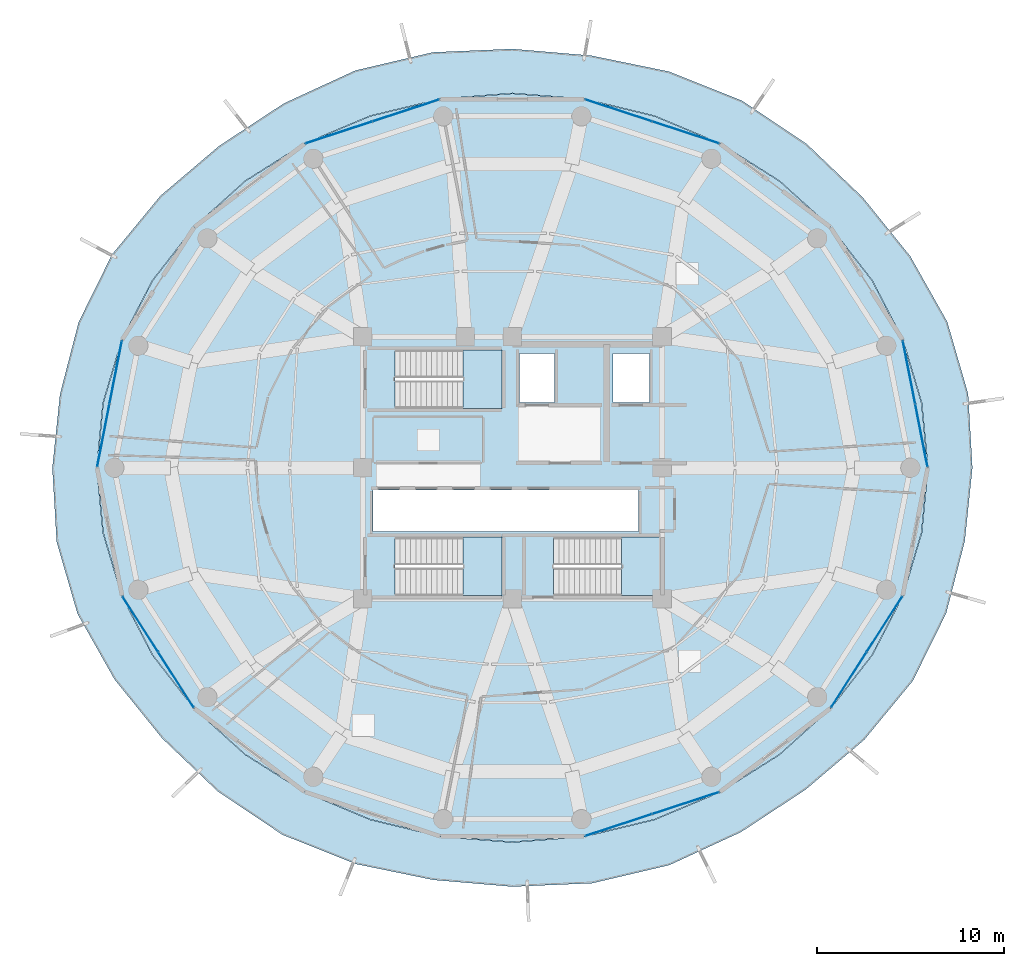
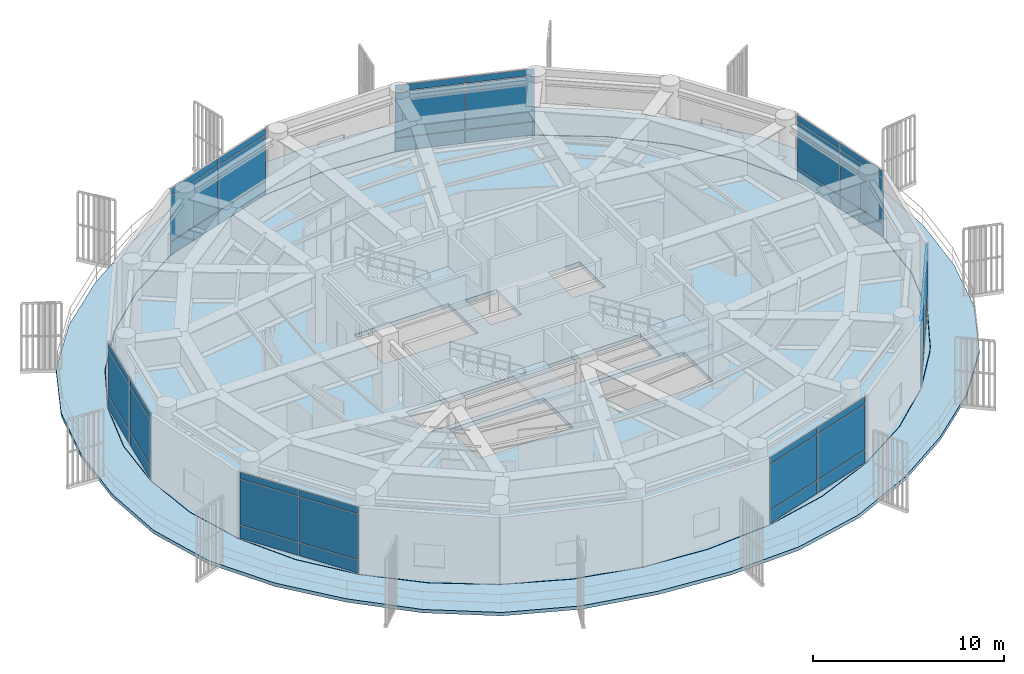
# One storey, part 21 of 29: 42 plates, 5 slabs, 10 elements without a shape of their own.
"""IFC4 building model written with IfcOpenShell, lengths in metres."""

from ifc_helpers import new_model, si_unit, direction, frame, origin, origin_2d, place, context, subcontext, project, spatial, polyline, rectangle, outline, extrude, source, transform, mapped, material, layer, layer_set, type_object, element, aggregate, save


model = new_model("IFC4")

# Units and contexts
model_context = context("Model", 3, precision=1e-05, world=origin(), true_north=direction((0.0, 1.0)))
body_context = subcontext(model_context, "Body", "Model", "MODEL_VIEW")
ifc_project = project(units=[si_unit("LENGTHUNIT", "METRE"), si_unit("AREAUNIT", "SQUARE_METRE"), si_unit("VOLUMEUNIT", "CUBIC_METRE"), si_unit("PLANEANGLEUNIT", "RADIAN"), si_unit("MASSUNIT", "GRAM", prefix="KILO")], contexts=[model_context])

# Site, building, storey
site_placement = place(None, origin())
site = spatial("IfcSite", under=ifc_project, at=site_placement, CompositionType="ELEMENT")
building_placement = place(site_placement, origin())
building = spatial("IfcBuilding", under=site, at=building_placement, Name="Kelanora Arch Commons", CompositionType="ELEMENT")
storey_placement = place(building_placement, frame((0.0, 0.0, 238.199951171875)))
storey = spatial("IfcBuildingStorey", under=building, at=storey_placement, Name="L61", CompositionType="ELEMENT", Elevation=238.199951171875)

# Stair, slab
ifc_material_1 = material(Name="Concrete C40/50", Category="concrete")
stair_type = type_object("IfcStairType", Name="STR-DL-476", PredefinedType="HALF_TURN_STAIR", material=ifc_material_1)
stair_1_placement = place(storey_placement, origin())
stair_1 = element("IfcStair", 1, at=stair_1_placement, inside=storey, type_object=stair_type, Name="L61 ST-T1", PredefinedType="HALF_TURN_STAIR")
ifc_layer_1 = layer(ifc_material_1, 0.199951171875)
ifc_layer_set_1 = layer_set([ifc_layer_1], Name="Concrete C40/50")
slab_type_1 = type_object("IfcSlabType", Name="SLB-STAIR-LND", PredefinedType="LANDING", material=ifc_layer_set_1)
slab_1_placement = place(storey_placement, frame((0.0, 0.0, 2.179931640625)))
slab_1 = element("IfcSlab", 2, at=slab_1_placement, type_object=slab_type_1, Name="ST-T1 landing 1", PredefinedType="LANDING", context=body_context, shape_type="SweptSolid", body=[
    extrude(outline(polyline([(71.360107421875, 61.179931640625), (73.43994140625, 61.179931640625), (73.43994140625, 64.2900390625), (71.360107421875, 64.2900390625), (71.360107421875, 61.179931640625)])), origin(), (0.0, 0.0, 1.0), 0.2001953125),
])
aggregate(stair_1, [slab_1])

stair_2_placement = place(storey_placement, origin())
stair_2 = element("IfcStair", 3, at=stair_2_placement, inside=storey, type_object=stair_type, Name="L61 ST-T2", PredefinedType="HALF_TURN_STAIR")
slab_2_placement = place(storey_placement, frame((0.0, 0.0, 2.179931640625)))
slab_2 = element("IfcSlab", 4, at=slab_2_placement, type_object=slab_type_1, Name="ST-T2 landing 1", PredefinedType="LANDING", context=body_context, shape_type="SweptSolid", body=[
    extrude(outline(polyline([(79.840087890625, 51.179931640625), (81.919921875, 51.179931640625), (81.919921875, 54.2900390625), (79.840087890625, 54.2900390625), (79.840087890625, 51.179931640625)])), origin(), (0.0, 0.0, 1.0), 0.2001953125),
])
aggregate(stair_2, [slab_2])

stair_3_placement = place(storey_placement, origin())
stair_3 = element("IfcStair", 5, at=stair_3_placement, inside=storey, type_object=stair_type, Name="L61 ST-T3", PredefinedType="HALF_TURN_STAIR")
slab_3_placement = place(storey_placement, frame((0.0, 0.0, 2.179931640625)))
slab_3 = element("IfcSlab", 6, at=slab_3_placement, type_object=slab_type_1, Name="ST-T3 landing 1", PredefinedType="LANDING", context=body_context, shape_type="SweptSolid", body=[
    extrude(outline(polyline([(71.360107421875, 51.179931640625), (73.43994140625, 51.179931640625), (73.43994140625, 54.2900390625), (71.360107421875, 54.2900390625), (71.360107421875, 51.179931640625)])), origin(), (0.0, 0.0, 1.0), 0.2001953125),
])
aggregate(stair_3, [slab_3])

# Slabs
ifc_layer_2 = layer(ifc_material_1, 0.260009765625)
ifc_layer_set_2 = layer_set([ifc_layer_2], Name="Concrete C40/50")
slab_type_2 = type_object("IfcSlabType", Name="SLB-TWR-TYP", PredefinedType="FLOOR", material=ifc_layer_set_2)
slab_4_placement = place(storey_placement, frame((0.0, 0.0, -0.260009765625)))
element("IfcSlab", 7, at=slab_4_placement, inside=storey, type_object=slab_type_2, Name="Tower Floor Slab L61", PredefinedType="FLOOR", context=body_context, shape_type="SweptSolid", body=[
    extrude(outline(polyline([(96.199951171875, 58.0), (95.86279296875, 61.472900390625), (94.861083984375, 64.84033203125), (93.225830078125, 68.0), (91.006103515625, 70.855712890625), (88.27001953125, 73.32080078125), (85.10009765625, 75.320556640625), (81.5927734375, 76.7939453125), (77.85498046875, 77.6962890625), (74.0, 78.0), (70.14501953125, 77.6962890625), (66.4072265625, 76.7939453125), (62.89990234375, 75.320556640625), (59.72998046875, 73.32080078125), (56.993896484375, 70.855712890625), (54.774169921875, 68.0), (53.138916015625, 64.84033203125), (52.13720703125, 61.472900390625), (51.800048828125, 58.0), (52.13720703125, 54.527099609375), (53.138916015625, 51.15966796875), (54.774169921875, 48.0), (56.993896484375, 45.144287109375), (59.72998046875, 42.67919921875), (62.89990234375, 40.679443359375), (66.4072265625, 39.2060546875), (70.14501953125, 38.3037109375), (74.0, 38.0), (77.85498046875, 38.3037109375), (81.5927734375, 39.2060546875), (85.10009765625, 40.679443359375), (88.27001953125, 42.67919921875), (91.006103515625, 45.144287109375), (93.225830078125, 48.0), (94.861083984375, 51.15966796875), (95.86279296875, 54.527099609375), (96.199951171875, 58.0)]), holes=[polyline([(73.431884765625, 51.18798828125), (67.72802734375, 51.18798828125), (67.72802734375, 54.281982421875), (73.431884765625, 54.281982421875), (73.431884765625, 51.18798828125)]), polyline([(76.2080078125, 51.18798828125), (76.2080078125, 54.281982421875), (81.912109375, 54.281982421875), (81.912109375, 51.18798828125), (76.2080078125, 51.18798828125)]), polyline([(66.550048828125, 54.60009765625), (66.550048828125, 56.800048828125), (80.75, 56.800048828125), (80.75, 54.60009765625), (66.550048828125, 54.60009765625)]), polyline([(73.431884765625, 61.18798828125), (67.72802734375, 61.18798828125), (67.72802734375, 64.281982421875), (73.431884765625, 64.281982421875), (73.431884765625, 61.18798828125)]), polyline([(74.3798828125, 61.47998046875), (74.3798828125, 64.1201171875), (76.260009765625, 64.1201171875), (76.260009765625, 61.47998046875), (74.3798828125, 61.47998046875)]), polyline([(79.3798828125, 61.47998046875), (79.3798828125, 64.1201171875), (81.320068359375, 64.1201171875), (81.320068359375, 61.47998046875), (79.3798828125, 61.47998046875)])]), origin(), (0.0, 0.0, 1.0), 0.260009765625),
])
ifc_layer_3 = layer(ifc_material_1, 0.219970703125)
ifc_layer_set_3 = layer_set([ifc_layer_3], Name="Concrete C40/50")
slab_type_3 = type_object("IfcSlabType", Name="SLB-WAVE-BAL", PredefinedType="FLOOR", material=ifc_layer_set_3)
slab_5_placement = place(storey_placement, frame((0.0, 0.0, -0.219970703125)))
element("IfcSlab", 8, at=slab_5_placement, inside=storey, type_object=slab_type_3, Name="Sinusoidal Wave Balcony Slab L61", PredefinedType="FLOOR", context=body_context, shape_type="SweptSolid", body=[
    extrude(outline(polyline([(98.58740234375, 58.0), (98.357177734375, 61.961181640625), (97.24267578125, 65.802490234375), (95.26611328125, 69.3076171875), (92.72314453125, 72.455078125), (89.756103515625, 75.286865234375), (86.291748046875, 77.61181640625), (82.37353515625, 79.1748046875), (78.225341796875, 80.027587890625), (74.0, 80.387451171875), (69.746337890625, 80.206298828125), (65.60693359375, 79.234619140625), (61.78173828125, 77.470703125), (58.315185546875, 75.192626953125), (55.190185546875, 72.535400390625), (52.599609375, 69.3935546875), (50.815673828125, 65.779052734375), (49.820556640625, 61.926513671875), (49.41259765625, 58.0), (49.642822265625, 54.038818359375), (50.75732421875, 50.197509765625), (52.73388671875, 46.6923828125), (55.27685546875, 43.544921875), (58.243896484375, 40.713134765625), (61.708251953125, 38.38818359375), (65.62646484375, 36.8251953125), (69.774658203125, 35.972412109375), (74.0, 35.612548828125), (78.253662109375, 35.793701171875), (82.39306640625, 36.765380859375), (86.21826171875, 38.529296875), (89.684814453125, 40.807373046875), (92.809814453125, 43.464599609375), (95.400390625, 46.6064453125), (97.184326171875, 50.220947265625), (98.179443359375, 54.073486328125), (98.58740234375, 58.0)]), holes=[polyline([(95.88232421875, 54.523681640625), (94.8798828125, 51.15283203125), (93.2431640625, 47.989990234375), (91.021484375, 45.13134765625), (88.28271484375, 42.663818359375), (85.110107421875, 40.662109375), (81.599609375, 39.1875), (77.8583984375, 38.2841796875), (74.0, 37.97998046875), (70.1416015625, 38.2841796875), (66.400390625, 39.1875), (62.889892578125, 40.662109375), (59.71728515625, 42.663818359375), (56.978515625, 45.13134765625), (54.7568359375, 47.989990234375), (53.1201171875, 51.15283203125), (52.11767578125, 54.523681640625), (51.780029296875, 58.0), (52.11767578125, 61.476318359375), (53.1201171875, 64.84716796875), (54.7568359375, 68.010009765625), (56.978515625, 70.86865234375), (59.71728515625, 73.336181640625), (62.889892578125, 75.337890625), (66.400390625, 76.8125), (70.1416015625, 77.7158203125), (74.0, 78.02001953125), (77.8583984375, 77.7158203125), (81.599609375, 76.8125), (85.110107421875, 75.337890625), (88.28271484375, 73.336181640625), (91.021484375, 70.86865234375), (93.2431640625, 68.010009765625), (94.8798828125, 64.84716796875), (95.88232421875, 61.476318359375), (96.219970703125, 58.0), (95.88232421875, 54.523681640625)])]), origin(), (0.0, 0.0, 1.0), 0.219970703125),
])

# Curtain wall, plates
ifc_material_2 = material(Name="Terracotta ceramic-fritted low-E glass and aluminium", Category="masonry")
ifc_layer_4 = layer(ifc_material_2, 0.175048828125)
ifc_layer_set_4 = layer_set([ifc_layer_4], Name="Terracotta ceramic-fritted low-E glass and aluminium")
curtain_wall_type = type_object("IfcCurtainWallType", Name="CW-SYS-02", PredefinedType="NOTDEFINED", material=ifc_layer_set_4)
curtain_wall_1_placement = place(storey_placement, origin())
curtain_wall_1 = element("IfcCurtainWall", 9, at=curtain_wall_1_placement, inside=storey, type_object=curtain_wall_type, Name="Unitised Curtain Wall L61-B00", PredefinedType="NOTDEFINED")
ifc_material_3 = material(Name="Terracotta ceramic-fritted double glazing", Category="masonry")
ifc_layer_5 = layer(ifc_material_3, 0.028076171875)
ifc_layer_set_5 = layer_set([ifc_layer_5], Name="Terracotta ceramic-fritted double glazing")
plate_type = type_object("IfcPlateType", Name="CWP-FRIT", PredefinedType="CURTAIN_PANEL", material=ifc_layer_set_5)
shared_shape_1 = source(origin(), body_context, "Body", "SweptSolid", [
    extrude(rectangle(XDim=3.380126953125, YDim=0.028076171875, at=origin_2d()), origin(), (0.0, 0.0, 1.0), 0.81005859375),
])
plate_1_placement = place(storey_placement, frame((95.861083984375, 59.732177734375, 0.06005859375), z_axis=(0.0, 0.0, 1.0), x_axis=(-0.192068926335, 0.981381438349, 0.0)))
plate_1 = element("IfcPlate", 10, at=plate_1_placement, type_object=plate_type, Name="CW-02 panel 1.1", PredefinedType="CURTAIN_PANEL", context=body_context, shape_type="MappedRepresentation", body=[
    mapped(shared_shape_1, transform((0.0, 0.0, 0.0), scale=1.0)),
])
plate_2_placement = place(storey_placement, frame((95.2001953125, 63.108154296875, 0.06005859375), z_axis=(0.0, 0.0, 1.0), x_axis=(-0.192068926335, 0.981381438349, 0.0)))
plate_2 = element("IfcPlate", 11, at=plate_2_placement, type_object=plate_type, Name="CW-02 panel 2.1", PredefinedType="CURTAIN_PANEL", context=body_context, shape_type="MappedRepresentation", body=[
    mapped(shared_shape_1, transform((0.0, 0.0, 0.0), scale=1.0)),
])

curtain_wall_2_placement = place(storey_placement, origin())
curtain_wall_2 = element("IfcCurtainWall", 12, at=curtain_wall_2_placement, inside=storey, type_object=curtain_wall_type, Name="Unitised Curtain Wall L61-B08", PredefinedType="NOTDEFINED")
plate_3_placement = place(storey_placement, frame((52.7998046875, 63.108154296875, 0.06005859375), z_axis=(0.0, 0.0, 1.0), x_axis=(-0.192068926335, -0.981381438349, 0.0)))
plate_3 = element("IfcPlate", 13, at=plate_3_placement, type_object=plate_type, Name="CW-02 panel 1.1", PredefinedType="CURTAIN_PANEL", context=body_context, shape_type="MappedRepresentation", body=[
    mapped(shared_shape_1, transform((0.0, 0.0, 0.0), scale=1.0)),
])
plate_4_placement = place(storey_placement, frame((52.138916015625, 59.732177734375, 0.06005859375), z_axis=(0.0, 0.0, 1.0), x_axis=(-0.192068926335, -0.981381438349, 0.0)))
plate_4 = element("IfcPlate", 14, at=plate_4_placement, type_object=plate_type, Name="CW-02 panel 2.1", PredefinedType="CURTAIN_PANEL", context=body_context, shape_type="MappedRepresentation", body=[
    mapped(shared_shape_1, transform((0.0, 0.0, 0.0), scale=1.0)),
])

curtain_wall_3_placement = place(storey_placement, origin())
curtain_wall_3 = element("IfcCurtainWall", 15, at=curtain_wall_3_placement, inside=storey, type_object=curtain_wall_type, Name="Unitised Curtain Wall L61-B03", PredefinedType="NOTDEFINED")
shared_shape_2 = source(origin(), body_context, "Body", "SweptSolid", [
    extrude(rectangle(XDim=3.707275390625, YDim=0.028076171875, at=origin_2d()), origin(), (0.0, 0.0, 1.0), 0.81005859375),
])
plate_5_placement = place(storey_placement, frame((83.267333984375, 75.92138671875, 0.06005859375), z_axis=(0.0, 0.0, 1.0), x_axis=(-0.950219124029, 0.311582439059, 0.0)))
plate_5 = element("IfcPlate", 16, at=plate_5_placement, type_object=plate_type, Name="CW-02 panel 1.1", PredefinedType="CURTAIN_PANEL", context=body_context, shape_type="MappedRepresentation", body=[
    mapped(shared_shape_2, transform((0.0, 0.0, 0.0), scale=1.0)),
])
plate_6_placement = place(storey_placement, frame((79.687744140625, 77.09521484375, 0.06005859375), z_axis=(0.0, 0.0, 1.0), x_axis=(-0.950219124029, 0.311582439059, 0.0)))
plate_6 = element("IfcPlate", 17, at=plate_6_placement, type_object=plate_type, Name="CW-02 panel 2.1", PredefinedType="CURTAIN_PANEL", context=body_context, shape_type="MappedRepresentation", body=[
    mapped(shared_shape_2, transform((0.0, 0.0, 0.0), scale=1.0)),
])

curtain_wall_4_placement = place(storey_placement, origin())
curtain_wall_4 = element("IfcCurtainWall", 18, at=curtain_wall_4_placement, inside=storey, type_object=curtain_wall_type, Name="Unitised Curtain Wall L61-B05", PredefinedType="NOTDEFINED")
plate_7_placement = place(storey_placement, frame((68.312255859375, 77.09521484375, 0.06005859375), z_axis=(0.0, 0.0, 1.0), x_axis=(-0.950219124029, -0.311582439059, 0.0)))
plate_7 = element("IfcPlate", 19, at=plate_7_placement, type_object=plate_type, Name="CW-02 panel 1.1", PredefinedType="CURTAIN_PANEL", context=body_context, shape_type="MappedRepresentation", body=[
    mapped(shared_shape_2, transform((0.0, 0.0, 0.0), scale=1.0)),
])
plate_8_placement = place(storey_placement, frame((64.732666015625, 75.92138671875, 0.06005859375), z_axis=(0.0, 0.0, 1.0), x_axis=(-0.950219124029, -0.311582439059, 0.0)))
plate_8 = element("IfcPlate", 20, at=plate_8_placement, type_object=plate_type, Name="CW-02 panel 2.1", PredefinedType="CURTAIN_PANEL", context=body_context, shape_type="MappedRepresentation", body=[
    mapped(shared_shape_2, transform((0.0, 0.0, 0.0), scale=1.0)),
])

curtain_wall_5_placement = place(storey_placement, origin())
curtain_wall_5 = element("IfcCurtainWall", 21, at=curtain_wall_5_placement, inside=storey, type_object=curtain_wall_type, Name="Unitised Curtain Wall L61-B14", PredefinedType="NOTDEFINED")
plate_9_placement = place(storey_placement, frame((79.687744140625, 38.90478515625, 0.06005859375), z_axis=(0.0, 0.0, 1.0), x_axis=(0.950219124029, 0.311582439059, 0.0)))
plate_9 = element("IfcPlate", 22, at=plate_9_placement, type_object=plate_type, Name="CW-02 panel 1.1", PredefinedType="CURTAIN_PANEL", context=body_context, shape_type="MappedRepresentation", body=[
    mapped(shared_shape_2, transform((0.0, 0.0, 0.0), scale=1.0)),
])
plate_10_placement = place(storey_placement, frame((83.267333984375, 40.07861328125, 0.06005859375), z_axis=(0.0, 0.0, 1.0), x_axis=(0.950219124029, 0.311582439059, 0.0)))
plate_10 = element("IfcPlate", 23, at=plate_10_placement, type_object=plate_type, Name="CW-02 panel 2.1", PredefinedType="CURTAIN_PANEL", context=body_context, shape_type="MappedRepresentation", body=[
    mapped(shared_shape_2, transform((0.0, 0.0, 0.0), scale=1.0)),
])

curtain_wall_6_placement = place(storey_placement, origin())
curtain_wall_6 = element("IfcCurtainWall", 24, at=curtain_wall_6_placement, inside=storey, type_object=curtain_wall_type, Name="Unitised Curtain Wall L61-B10", PredefinedType="NOTDEFINED")
shared_shape_3 = source(origin(), body_context, "Body", "SweptSolid", [
    extrude(rectangle(XDim=3.46728515625, YDim=0.028076171875, at=origin_2d()), origin(), (0.0, 0.0, 1.0), 0.81005859375),
])
plate_11_placement = place(storey_placement, frame((54.11474609375, 49.63671875, 0.06005859375), z_axis=(0.0, 0.0, 1.0), x_axis=(0.539559338994, -0.84194757539, 0.0)))
plate_11 = element("IfcPlate", 25, at=plate_11_placement, type_object=plate_type, Name="CW-02 panel 1.1", PredefinedType="CURTAIN_PANEL", context=body_context, shape_type="MappedRepresentation", body=[
    mapped(shared_shape_3, transform((0.0, 0.0, 0.0), scale=1.0)),
])
plate_12_placement = place(storey_placement, frame((56.017822265625, 46.6669921875, 0.06005859375), z_axis=(0.0, 0.0, 1.0), x_axis=(0.539559338994, -0.84194757539, 0.0)))
plate_12 = element("IfcPlate", 26, at=plate_12_placement, type_object=plate_type, Name="CW-02 panel 2.1", PredefinedType="CURTAIN_PANEL", context=body_context, shape_type="MappedRepresentation", body=[
    mapped(shared_shape_3, transform((0.0, 0.0, 0.0), scale=1.0)),
])

curtain_wall_7_placement = place(storey_placement, origin())
curtain_wall_7 = element("IfcCurtainWall", 27, at=curtain_wall_7_placement, inside=storey, type_object=curtain_wall_type, Name="Unitised Curtain Wall L61-B16", PredefinedType="NOTDEFINED")
plate_13_placement = place(storey_placement, frame((91.982177734375, 46.6669921875, 0.06005859375), z_axis=(0.0, 0.0, 1.0), x_axis=(0.539559338994, 0.84194757539, 0.0)))
plate_13 = element("IfcPlate", 28, at=plate_13_placement, type_object=plate_type, Name="CW-02 panel 1.1", PredefinedType="CURTAIN_PANEL", context=body_context, shape_type="MappedRepresentation", body=[
    mapped(shared_shape_3, transform((0.0, 0.0, 0.0), scale=1.0)),
])
plate_14_placement = place(storey_placement, frame((93.88525390625, 49.63671875, 0.06005859375), z_axis=(0.0, 0.0, 1.0), x_axis=(0.539559338994, 0.84194757539, 0.0)))
plate_14 = element("IfcPlate", 29, at=plate_14_placement, type_object=plate_type, Name="CW-02 panel 2.1", PredefinedType="CURTAIN_PANEL", context=body_context, shape_type="MappedRepresentation", body=[
    mapped(shared_shape_3, transform((0.0, 0.0, 0.0), scale=1.0)),
])

# Plate
shared_shape_4 = source(origin(), body_context, "Body", "SweptSolid", [
    extrude(rectangle(XDim=3.380126953125, YDim=0.028076171875, at=origin_2d()), origin(), (0.0, 0.0, 1.0), 2.885009765625),
])
plate_15_placement = place(storey_placement, frame((95.861083984375, 59.732177734375, 0.93017578125), z_axis=(0.0, 0.0, 1.0), x_axis=(-0.192068926335, 0.981381438349, 0.0)))
plate_15 = element("IfcPlate", 30, at=plate_15_placement, type_object=plate_type, Name="CW-02 panel 1.2", PredefinedType="CURTAIN_PANEL", context=body_context, shape_type="MappedRepresentation", body=[
    mapped(shared_shape_4, transform((0.0, 0.0, 0.0), scale=1.0)),
])

plate_16_placement = place(storey_placement, frame((95.2001953125, 63.108154296875, 0.93017578125), z_axis=(0.0, 0.0, 1.0), x_axis=(-0.192068926335, 0.981381438349, 0.0)))
plate_16 = element("IfcPlate", 31, at=plate_16_placement, type_object=plate_type, Name="CW-02 panel 2.2", PredefinedType="CURTAIN_PANEL", context=body_context, shape_type="MappedRepresentation", body=[
    mapped(shared_shape_4, transform((0.0, 0.0, 0.0), scale=1.0)),
])

plate_17_placement = place(storey_placement, frame((52.7998046875, 63.108154296875, 0.93017578125), z_axis=(0.0, 0.0, 1.0), x_axis=(-0.192068926335, -0.981381438349, 0.0)))
plate_17 = element("IfcPlate", 32, at=plate_17_placement, type_object=plate_type, Name="CW-02 panel 1.2", PredefinedType="CURTAIN_PANEL", context=body_context, shape_type="MappedRepresentation", body=[
    mapped(shared_shape_4, transform((0.0, 0.0, 0.0), scale=1.0)),
])

plate_18_placement = place(storey_placement, frame((52.138916015625, 59.732177734375, 0.93017578125), z_axis=(0.0, 0.0, 1.0), x_axis=(-0.192068926335, -0.981381438349, 0.0)))
plate_18 = element("IfcPlate", 33, at=plate_18_placement, type_object=plate_type, Name="CW-02 panel 2.2", PredefinedType="CURTAIN_PANEL", context=body_context, shape_type="MappedRepresentation", body=[
    mapped(shared_shape_4, transform((0.0, 0.0, 0.0), scale=1.0)),
])

shared_shape_5 = source(origin(), body_context, "Body", "SweptSolid", [
    extrude(rectangle(XDim=3.380126953125, YDim=0.028076171875, at=origin_2d()), origin(), (0.0, 0.0, 1.0), 0.409912109375),
])
plate_19_placement = place(storey_placement, frame((95.861083984375, 59.732177734375, 3.875), z_axis=(0.0, 0.0, 1.0), x_axis=(-0.192068926335, 0.981381438349, 0.0)))
plate_19 = element("IfcPlate", 34, at=plate_19_placement, type_object=plate_type, Name="CW-02 panel 1.3", PredefinedType="CURTAIN_PANEL", context=body_context, shape_type="MappedRepresentation", body=[
    mapped(shared_shape_5, transform((0.0, 0.0, 0.0), scale=1.0)),
])

plate_20_placement = place(storey_placement, frame((95.2001953125, 63.108154296875, 3.875), z_axis=(0.0, 0.0, 1.0), x_axis=(-0.192068926335, 0.981381438349, 0.0)))
plate_20 = element("IfcPlate", 35, at=plate_20_placement, type_object=plate_type, Name="CW-02 panel 2.3", PredefinedType="CURTAIN_PANEL", context=body_context, shape_type="MappedRepresentation", body=[
    mapped(shared_shape_5, transform((0.0, 0.0, 0.0), scale=1.0)),
])

aggregate(curtain_wall_1, [plate_1, plate_15, plate_19, plate_2, plate_16, plate_20])

plate_21_placement = place(storey_placement, frame((52.7998046875, 63.108154296875, 3.875), z_axis=(0.0, 0.0, 1.0), x_axis=(-0.192068926335, -0.981381438349, 0.0)))
plate_21 = element("IfcPlate", 36, at=plate_21_placement, type_object=plate_type, Name="CW-02 panel 1.3", PredefinedType="CURTAIN_PANEL", context=body_context, shape_type="MappedRepresentation", body=[
    mapped(shared_shape_5, transform((0.0, 0.0, 0.0), scale=1.0)),
])

plate_22_placement = place(storey_placement, frame((52.138916015625, 59.732177734375, 3.875), z_axis=(0.0, 0.0, 1.0), x_axis=(-0.192068926335, -0.981381438349, 0.0)))
plate_22 = element("IfcPlate", 37, at=plate_22_placement, type_object=plate_type, Name="CW-02 panel 2.3", PredefinedType="CURTAIN_PANEL", context=body_context, shape_type="MappedRepresentation", body=[
    mapped(shared_shape_5, transform((0.0, 0.0, 0.0), scale=1.0)),
])

aggregate(curtain_wall_2, [plate_3, plate_17, plate_21, plate_4, plate_18, plate_22])

shared_shape_6 = source(origin(), body_context, "Body", "SweptSolid", [
    extrude(rectangle(XDim=3.707275390625, YDim=0.028076171875, at=origin_2d()), origin(), (0.0, 0.0, 1.0), 2.885009765625),
])
plate_23_placement = place(storey_placement, frame((83.267333984375, 75.92138671875, 0.93017578125), z_axis=(0.0, 0.0, 1.0), x_axis=(-0.950219124029, 0.311582439059, 0.0)))
plate_23 = element("IfcPlate", 38, at=plate_23_placement, type_object=plate_type, Name="CW-02 panel 1.2", PredefinedType="CURTAIN_PANEL", context=body_context, shape_type="MappedRepresentation", body=[
    mapped(shared_shape_6, transform((0.0, 0.0, 0.0), scale=1.0)),
])

plate_24_placement = place(storey_placement, frame((79.687744140625, 77.09521484375, 0.93017578125), z_axis=(0.0, 0.0, 1.0), x_axis=(-0.950219124029, 0.311582439059, 0.0)))
plate_24 = element("IfcPlate", 39, at=plate_24_placement, type_object=plate_type, Name="CW-02 panel 2.2", PredefinedType="CURTAIN_PANEL", context=body_context, shape_type="MappedRepresentation", body=[
    mapped(shared_shape_6, transform((0.0, 0.0, 0.0), scale=1.0)),
])

plate_25_placement = place(storey_placement, frame((68.312255859375, 77.09521484375, 0.93017578125), z_axis=(0.0, 0.0, 1.0), x_axis=(-0.950219124029, -0.311582439059, 0.0)))
plate_25 = element("IfcPlate", 40, at=plate_25_placement, type_object=plate_type, Name="CW-02 panel 1.2", PredefinedType="CURTAIN_PANEL", context=body_context, shape_type="MappedRepresentation", body=[
    mapped(shared_shape_6, transform((0.0, 0.0, 0.0), scale=1.0)),
])

plate_26_placement = place(storey_placement, frame((64.732666015625, 75.92138671875, 0.93017578125), z_axis=(0.0, 0.0, 1.0), x_axis=(-0.950219124029, -0.311582439059, 0.0)))
plate_26 = element("IfcPlate", 41, at=plate_26_placement, type_object=plate_type, Name="CW-02 panel 2.2", PredefinedType="CURTAIN_PANEL", context=body_context, shape_type="MappedRepresentation", body=[
    mapped(shared_shape_6, transform((0.0, 0.0, 0.0), scale=1.0)),
])

plate_27_placement = place(storey_placement, frame((79.687744140625, 38.90478515625, 0.93017578125), z_axis=(0.0, 0.0, 1.0), x_axis=(0.950219124029, 0.311582439059, 0.0)))
plate_27 = element("IfcPlate", 42, at=plate_27_placement, type_object=plate_type, Name="CW-02 panel 1.2", PredefinedType="CURTAIN_PANEL", context=body_context, shape_type="MappedRepresentation", body=[
    mapped(shared_shape_6, transform((0.0, 0.0, 0.0), scale=1.0)),
])

plate_28_placement = place(storey_placement, frame((83.267333984375, 40.07861328125, 0.93017578125), z_axis=(0.0, 0.0, 1.0), x_axis=(0.950219124029, 0.311582439059, 0.0)))
plate_28 = element("IfcPlate", 43, at=plate_28_placement, type_object=plate_type, Name="CW-02 panel 2.2", PredefinedType="CURTAIN_PANEL", context=body_context, shape_type="MappedRepresentation", body=[
    mapped(shared_shape_6, transform((0.0, 0.0, 0.0), scale=1.0)),
])

shared_shape_7 = source(origin(), body_context, "Body", "SweptSolid", [
    extrude(rectangle(XDim=3.707275390625, YDim=0.028076171875, at=origin_2d()), origin(), (0.0, 0.0, 1.0), 0.409912109375),
])
plate_29_placement = place(storey_placement, frame((83.267333984375, 75.92138671875, 3.875), z_axis=(0.0, 0.0, 1.0), x_axis=(-0.950219124029, 0.311582439059, 0.0)))
plate_29 = element("IfcPlate", 44, at=plate_29_placement, type_object=plate_type, Name="CW-02 panel 1.3", PredefinedType="CURTAIN_PANEL", context=body_context, shape_type="MappedRepresentation", body=[
    mapped(shared_shape_7, transform((0.0, 0.0, 0.0), scale=1.0)),
])

plate_30_placement = place(storey_placement, frame((79.687744140625, 77.09521484375, 3.875), z_axis=(0.0, 0.0, 1.0), x_axis=(-0.950219124029, 0.311582439059, 0.0)))
plate_30 = element("IfcPlate", 45, at=plate_30_placement, type_object=plate_type, Name="CW-02 panel 2.3", PredefinedType="CURTAIN_PANEL", context=body_context, shape_type="MappedRepresentation", body=[
    mapped(shared_shape_7, transform((0.0, 0.0, 0.0), scale=1.0)),
])

aggregate(curtain_wall_3, [plate_5, plate_23, plate_29, plate_6, plate_24, plate_30])

plate_31_placement = place(storey_placement, frame((68.312255859375, 77.09521484375, 3.875), z_axis=(0.0, 0.0, 1.0), x_axis=(-0.950219124029, -0.311582439059, 0.0)))
plate_31 = element("IfcPlate", 46, at=plate_31_placement, type_object=plate_type, Name="CW-02 panel 1.3", PredefinedType="CURTAIN_PANEL", context=body_context, shape_type="MappedRepresentation", body=[
    mapped(shared_shape_7, transform((0.0, 0.0, 0.0), scale=1.0)),
])

plate_32_placement = place(storey_placement, frame((64.732666015625, 75.92138671875, 3.875), z_axis=(0.0, 0.0, 1.0), x_axis=(-0.950219124029, -0.311582439059, 0.0)))
plate_32 = element("IfcPlate", 47, at=plate_32_placement, type_object=plate_type, Name="CW-02 panel 2.3", PredefinedType="CURTAIN_PANEL", context=body_context, shape_type="MappedRepresentation", body=[
    mapped(shared_shape_7, transform((0.0, 0.0, 0.0), scale=1.0)),
])

aggregate(curtain_wall_4, [plate_7, plate_25, plate_31, plate_8, plate_26, plate_32])

plate_33_placement = place(storey_placement, frame((79.687744140625, 38.90478515625, 3.875), z_axis=(0.0, 0.0, 1.0), x_axis=(0.950219124029, 0.311582439059, 0.0)))
plate_33 = element("IfcPlate", 48, at=plate_33_placement, type_object=plate_type, Name="CW-02 panel 1.3", PredefinedType="CURTAIN_PANEL", context=body_context, shape_type="MappedRepresentation", body=[
    mapped(shared_shape_7, transform((0.0, 0.0, 0.0), scale=1.0)),
])

plate_34_placement = place(storey_placement, frame((83.267333984375, 40.07861328125, 3.875), z_axis=(0.0, 0.0, 1.0), x_axis=(0.950219124029, 0.311582439059, 0.0)))
plate_34 = element("IfcPlate", 49, at=plate_34_placement, type_object=plate_type, Name="CW-02 panel 2.3", PredefinedType="CURTAIN_PANEL", context=body_context, shape_type="MappedRepresentation", body=[
    mapped(shared_shape_7, transform((0.0, 0.0, 0.0), scale=1.0)),
])

aggregate(curtain_wall_5, [plate_9, plate_27, plate_33, plate_10, plate_28, plate_34])

shared_shape_8 = source(origin(), body_context, "Body", "SweptSolid", [
    extrude(rectangle(XDim=3.46728515625, YDim=0.028076171875, at=origin_2d()), origin(), (0.0, 0.0, 1.0), 2.885009765625),
])
plate_35_placement = place(storey_placement, frame((54.11474609375, 49.63671875, 0.93017578125), z_axis=(0.0, 0.0, 1.0), x_axis=(0.539559338994, -0.84194757539, 0.0)))
plate_35 = element("IfcPlate", 50, at=plate_35_placement, type_object=plate_type, Name="CW-02 panel 1.2", PredefinedType="CURTAIN_PANEL", context=body_context, shape_type="MappedRepresentation", body=[
    mapped(shared_shape_8, transform((0.0, 0.0, 0.0), scale=1.0)),
])

plate_36_placement = place(storey_placement, frame((56.017822265625, 46.6669921875, 0.93017578125), z_axis=(0.0, 0.0, 1.0), x_axis=(0.539559338994, -0.84194757539, 0.0)))
plate_36 = element("IfcPlate", 51, at=plate_36_placement, type_object=plate_type, Name="CW-02 panel 2.2", PredefinedType="CURTAIN_PANEL", context=body_context, shape_type="MappedRepresentation", body=[
    mapped(shared_shape_8, transform((0.0, 0.0, 0.0), scale=1.0)),
])

plate_37_placement = place(storey_placement, frame((91.982177734375, 46.6669921875, 0.93017578125), z_axis=(0.0, 0.0, 1.0), x_axis=(0.539559338994, 0.84194757539, 0.0)))
plate_37 = element("IfcPlate", 52, at=plate_37_placement, type_object=plate_type, Name="CW-02 panel 1.2", PredefinedType="CURTAIN_PANEL", context=body_context, shape_type="MappedRepresentation", body=[
    mapped(shared_shape_8, transform((0.0, 0.0, 0.0), scale=1.0)),
])

plate_38_placement = place(storey_placement, frame((93.88525390625, 49.63671875, 0.93017578125), z_axis=(0.0, 0.0, 1.0), x_axis=(0.539559338994, 0.84194757539, 0.0)))
plate_38 = element("IfcPlate", 53, at=plate_38_placement, type_object=plate_type, Name="CW-02 panel 2.2", PredefinedType="CURTAIN_PANEL", context=body_context, shape_type="MappedRepresentation", body=[
    mapped(shared_shape_8, transform((0.0, 0.0, 0.0), scale=1.0)),
])

shared_shape_9 = source(origin(), body_context, "Body", "SweptSolid", [
    extrude(rectangle(XDim=3.46728515625, YDim=0.028076171875, at=origin_2d()), origin(), (0.0, 0.0, 1.0), 0.409912109375),
])
plate_39_placement = place(storey_placement, frame((54.11474609375, 49.63671875, 3.875), z_axis=(0.0, 0.0, 1.0), x_axis=(0.539559338994, -0.84194757539, 0.0)))
plate_39 = element("IfcPlate", 54, at=plate_39_placement, type_object=plate_type, Name="CW-02 panel 1.3", PredefinedType="CURTAIN_PANEL", context=body_context, shape_type="MappedRepresentation", body=[
    mapped(shared_shape_9, transform((0.0, 0.0, 0.0), scale=1.0)),
])

plate_40_placement = place(storey_placement, frame((56.017822265625, 46.6669921875, 3.875), z_axis=(0.0, 0.0, 1.0), x_axis=(0.539559338994, -0.84194757539, 0.0)))
plate_40 = element("IfcPlate", 55, at=plate_40_placement, type_object=plate_type, Name="CW-02 panel 2.3", PredefinedType="CURTAIN_PANEL", context=body_context, shape_type="MappedRepresentation", body=[
    mapped(shared_shape_9, transform((0.0, 0.0, 0.0), scale=1.0)),
])

aggregate(curtain_wall_6, [plate_11, plate_35, plate_39, plate_12, plate_36, plate_40])

plate_41_placement = place(storey_placement, frame((91.982177734375, 46.6669921875, 3.875), z_axis=(0.0, 0.0, 1.0), x_axis=(0.539559338994, 0.84194757539, 0.0)))
plate_41 = element("IfcPlate", 56, at=plate_41_placement, type_object=plate_type, Name="CW-02 panel 1.3", PredefinedType="CURTAIN_PANEL", context=body_context, shape_type="MappedRepresentation", body=[
    mapped(shared_shape_9, transform((0.0, 0.0, 0.0), scale=1.0)),
])

plate_42_placement = place(storey_placement, frame((93.88525390625, 49.63671875, 3.875), z_axis=(0.0, 0.0, 1.0), x_axis=(0.539559338994, 0.84194757539, 0.0)))
plate_42 = element("IfcPlate", 57, at=plate_42_placement, type_object=plate_type, Name="CW-02 panel 2.3", PredefinedType="CURTAIN_PANEL", context=body_context, shape_type="MappedRepresentation", body=[
    mapped(shared_shape_9, transform((0.0, 0.0, 0.0), scale=1.0)),
])

aggregate(curtain_wall_7, [plate_13, plate_37, plate_41, plate_14, plate_38, plate_42])

save(model, "model.ifc")
